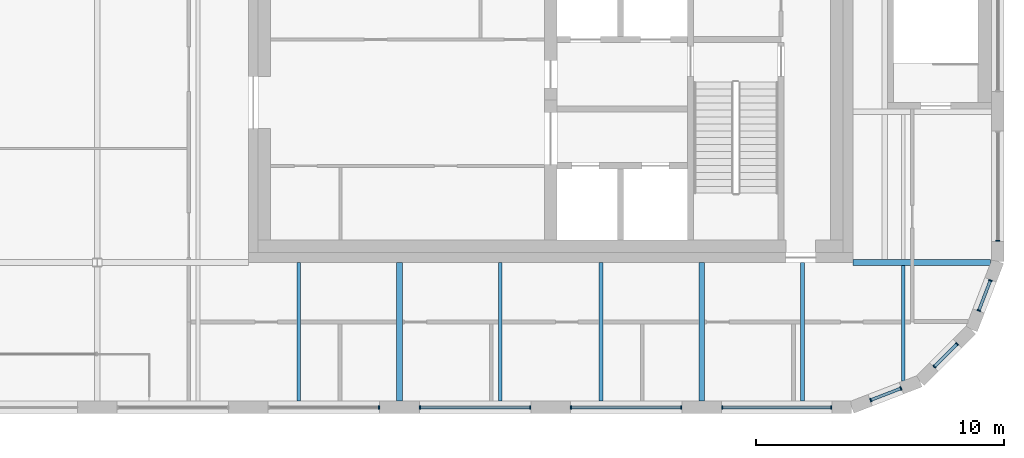
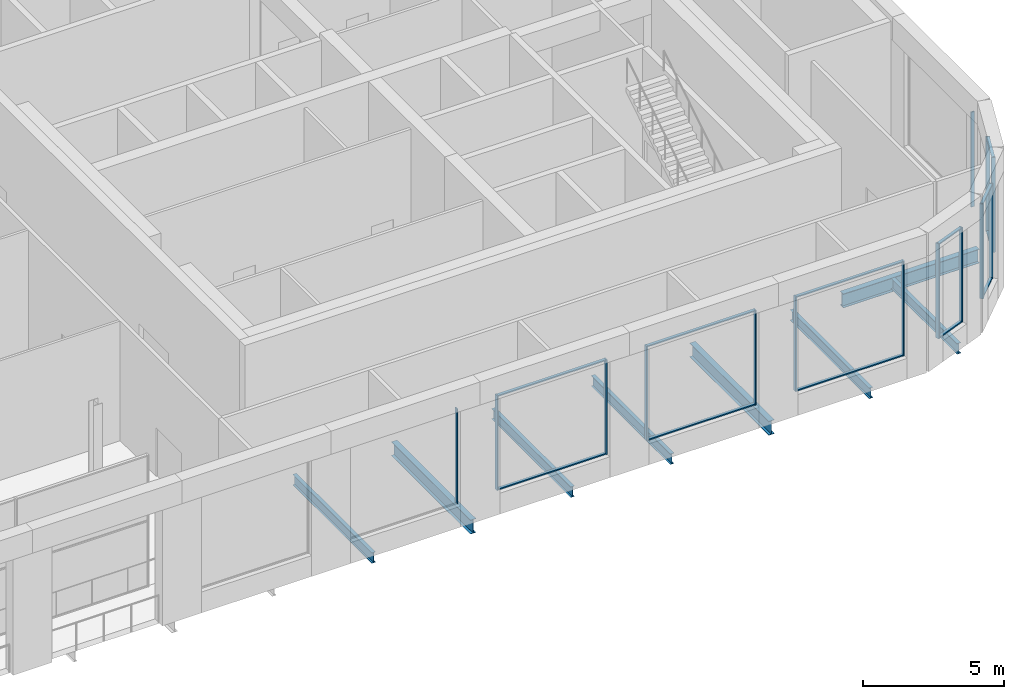
# One storey, part 6 of 19: 26 members, 8 beams, 8 elements without a shape of their own.
"""IFC4 building model written with IfcOpenShell, lengths in metres."""

from ifc_helpers import new_model, si_unit, direction, frame, origin, origin_2d, place, context, subcontext, project, spatial, rectangle, i_section, extrude, material, material_profile, profile_set, type_object, element, aggregate, save


model = new_model("IFC4")

# Units and contexts
model_context = context("Model", 3, precision=1e-05, world=origin(), true_north=direction((0.0, 1.0)))
body_context = subcontext(model_context, "Body", "Model", "MODEL_VIEW")
ifc_project = project(units=[si_unit("LENGTHUNIT", "METRE"), si_unit("AREAUNIT", "SQUARE_METRE"), si_unit("VOLUMEUNIT", "CUBIC_METRE"), si_unit("PLANEANGLEUNIT", "RADIAN"), si_unit("MASSUNIT", "GRAM", prefix="KILO")], contexts=[model_context])

# Site, building, storey
site_placement = place(None, origin())
site = spatial("IfcSite", under=ifc_project, at=site_placement, CompositionType="ELEMENT")
building_placement = place(site_placement, origin())
building = spatial("IfcBuilding", under=site, at=building_placement, Name="Tessera Gate Towers", CompositionType="ELEMENT")
storey_placement = place(building_placement, frame((0.0, 0.0, 259.699951171875)))
storey = spatial("IfcBuildingStorey", under=building, at=storey_placement, Name="L65", CompositionType="ELEMENT", Elevation=259.699951171875)

# Beams
ifc_material_1 = material(Name="Steel 350W", Category="steel")
ifc_material_profile_1 = material_profile(ifc_material_1, i_section(OverallWidth=0.22802734375, OverallDepth=0.60302734375, WebThickness=0.010498046875, FlangeThickness=0.014892578125, at=origin_2d()), Name="W610x101")
ifc_profile_set_1 = profile_set([ifc_material_profile_1], Name="Steel 350W")
beam_type_1 = type_object("IfcBeamType", Name="FLOOR GIRDER W610x101", PredefinedType="BEAM", material=ifc_profile_set_1)
beam_1_placement = place(storey_placement, frame((54.90087890625, 24.39990234375, -0.551513671875), z_axis=(1.0, 0.0, 0.0), x_axis=(0.0, 1.0, 0.0)))
element("IfcBeam", 1, at=beam_1_placement, inside=storey, type_object=beam_type_1, Name="T1-GD-L65-6311", PredefinedType="BEAM", context=body_context, shape_type="SweptSolid", body=[
    extrude(i_section(OverallWidth=0.22802734375, OverallDepth=0.60302734375, WebThickness=0.010498046875, FlangeThickness=0.014892578125, at=origin_2d()), origin(), (0.0, 0.0, 1.0), 5.564208984375),
])
for number, where, z_axis, x_axis, name in (
    (2, (36.60009765625, 18.799072265625, -0.551513671875), (0.0, 1.0, 0.0), (-1.0, 0.0, 0.0), "T1-GD-L65-6328"),
    (3, (48.800048828125, 18.799072265625, -0.551513671875), (0.0, 1.0, 0.0), (-1.0, 0.0, 0.0), "T1-GD-L65-6329"),
):
    element("IfcBeam", number, at=place(storey_placement, frame(where, z_axis=z_axis, x_axis=x_axis)), inside=storey, type_object=beam_type_1, Name=name, PredefinedType="BEAM", context=body_context, shape_type="SweptSolid", body=[
        extrude(i_section(OverallWidth=0.22802734375, OverallDepth=0.60302734375, WebThickness=0.010498046875, FlangeThickness=0.014892578125, at=origin_2d()), origin(), (0.0, 0.0, 1.0), 5.600830078125),
    ])
ifc_material_2 = material(Name="Steel 350W", Category="steel")
ifc_material_profile_2 = material_profile(ifc_material_2, i_section(OverallWidth=0.153076171875, OverallDepth=0.455078125, WebThickness=0.008056640625, FlangeThickness=0.01318359375, at=origin_2d()), Name="W460x60")
ifc_profile_set_2 = profile_set([ifc_material_profile_2], Name="Steel 350W")
beam_type_2 = type_object("IfcBeamType", Name="FLOOR SECONDARY W460x60", PredefinedType="BEAM", material=ifc_profile_set_2)
for number, where, z_axis, x_axis, name in (
    (4, (32.533203125, 18.800048828125, -0.4775390625), (0.0, 1.0, 0.0), (-1.0, 0.0, 0.0), "T1-BM-L65-6355"),
    (5, (40.666748046875, 18.800048828125, -0.4775390625), (0.0, 1.0, 0.0), (-1.0, 0.0, 0.0), "T1-BM-L65-6358"),
    (6, (44.7333984375, 18.800048828125, -0.4775390625), (0.0, 1.0, 0.0), (-1.0, 0.0, 0.0), "T1-BM-L65-6360"),
    (7, (52.86669921875, 18.800048828125, -0.4775390625), (0.0, 1.0, 0.0), (-1.0, 0.0, 0.0), "T1-BM-L65-6363"),
):
    element("IfcBeam", number, at=place(storey_placement, frame(where, z_axis=z_axis, x_axis=x_axis)), inside=storey, type_object=beam_type_2, Name=name, PredefinedType="BEAM", context=body_context, shape_type="SweptSolid", body=[
        extrude(i_section(OverallWidth=0.153076171875, OverallDepth=0.455078125, WebThickness=0.008056640625, FlangeThickness=0.01318359375, at=origin_2d()), origin(), (0.0, 0.0, 1.0), 5.599853515625),
    ])
beam_2_placement = place(storey_placement, frame((56.933349609375, 19.620361328125, -0.4775390625), z_axis=(0.0, 1.0, 0.0), x_axis=(-1.0, 0.0, 0.0)))
element("IfcBeam", 8, at=beam_2_placement, inside=storey, type_object=beam_type_2, Name="T1-BM-L65-6365", PredefinedType="BEAM", context=body_context, shape_type="SweptSolid", body=[
    extrude(i_section(OverallWidth=0.153076171875, OverallDepth=0.455078125, WebThickness=0.008056640625, FlangeThickness=0.01318359375, at=origin_2d()), origin(), (0.0, 0.0, 1.0), 4.66552734375),
])

# Curtain wall, member
ifc_material_3 = material(Name="Aluminium frame", Category="aluminium")
curtain_wall_type = type_object("IfcCurtainWallType", Name="CW-S4 observation glass", PredefinedType="NOTDEFINED", material=ifc_material_3)
curtain_wall_1_placement = place(storey_placement, origin())
curtain_wall_1 = element("IfcCurtainWall", 9, at=curtain_wall_1_placement, inside=storey, type_object=curtain_wall_type, Name="Curtain wall observation glass 0090", PredefinedType="NOTDEFINED")
ifc_material_4 = material(Name="Aluminium frame", Category="aluminium")
ifc_material_profile_3 = material_profile(ifc_material_4, rectangle(XDim=0.050048828125, YDim=0.14990234375, at=origin_2d()), Name="AL 50x150")
ifc_profile_set_3 = profile_set([ifc_material_profile_3], Name="Aluminium frame")
member_type_1 = type_object("IfcMemberType", Name="MU-S4 mullion 50x150", PredefinedType="MULLION", material=ifc_profile_set_3)
member_1_placement = place(storey_placement, frame((35.77490234375, 18.550048828125, 0.900146484375), z_axis=(0.0, 0.0, 1.0), x_axis=(1.0, 0.0, 0.0)))
member_1 = element("IfcMember", 10, at=member_1_placement, type_object=member_type_1, Name="T1-CW4-0090 mullion 2", PredefinedType="MULLION", context=body_context, shape_type="SweptSolid", body=[
    extrude(rectangle(XDim=0.050048828125, YDim=0.14990234375, at=origin_2d()), origin(), (0.0, 0.0, 1.0), 4.099853515625),
])
aggregate(curtain_wall_1, [member_1])

# Curtain wall, members
curtain_wall_2_placement = place(storey_placement, origin())
curtain_wall_2 = element("IfcCurtainWall", 11, at=curtain_wall_2_placement, inside=storey, type_object=curtain_wall_type, Name="Curtain wall observation glass 0091", PredefinedType="NOTDEFINED")
member_2_placement = place(storey_placement, frame((37.425048828125, 18.550048828125, 0.900146484375), z_axis=(0.0, 0.0, 1.0), x_axis=(1.0, 0.0, 0.0)))
member_2 = element("IfcMember", 12, at=member_2_placement, type_object=member_type_1, Name="T1-CW4-0091 mullion 1", PredefinedType="MULLION", context=body_context, shape_type="SweptSolid", body=[
    extrude(rectangle(XDim=0.050048828125, YDim=0.14990234375, at=origin_2d()), origin(), (0.0, 0.0, 1.0), 4.099853515625),
])
member_3_placement = place(storey_placement, frame((41.875, 18.550048828125, 0.900146484375), z_axis=(0.0, 0.0, 1.0), x_axis=(1.0, 0.0, 0.0)))
member_3 = element("IfcMember", 13, at=member_3_placement, type_object=member_type_1, Name="T1-CW4-0091 mullion 2", PredefinedType="MULLION", context=body_context, shape_type="SweptSolid", body=[
    extrude(rectangle(XDim=0.050048828125, YDim=0.14990234375, at=origin_2d()), origin(), (0.0, 0.0, 1.0), 4.099853515625),
])

curtain_wall_3_placement = place(storey_placement, origin())
curtain_wall_3 = element("IfcCurtainWall", 14, at=curtain_wall_3_placement, inside=storey, type_object=curtain_wall_type, Name="Curtain wall observation glass 0092", PredefinedType="NOTDEFINED")
member_4_placement = place(storey_placement, frame((43.52490234375, 18.550048828125, 0.900146484375), z_axis=(0.0, 0.0, 1.0), x_axis=(1.0, 0.0, 0.0)))
member_4 = element("IfcMember", 15, at=member_4_placement, type_object=member_type_1, Name="T1-CW4-0092 mullion 1", PredefinedType="MULLION", context=body_context, shape_type="SweptSolid", body=[
    extrude(rectangle(XDim=0.050048828125, YDim=0.14990234375, at=origin_2d()), origin(), (0.0, 0.0, 1.0), 4.099853515625),
])
member_5_placement = place(storey_placement, frame((47.97509765625, 18.550048828125, 0.900146484375), z_axis=(0.0, 0.0, 1.0), x_axis=(1.0, 0.0, 0.0)))
member_5 = element("IfcMember", 16, at=member_5_placement, type_object=member_type_1, Name="T1-CW4-0092 mullion 2", PredefinedType="MULLION", context=body_context, shape_type="SweptSolid", body=[
    extrude(rectangle(XDim=0.050048828125, YDim=0.14990234375, at=origin_2d()), origin(), (0.0, 0.0, 1.0), 4.099853515625),
])

curtain_wall_4_placement = place(storey_placement, origin())
curtain_wall_4 = element("IfcCurtainWall", 17, at=curtain_wall_4_placement, inside=storey, type_object=curtain_wall_type, Name="Curtain wall observation glass 0093", PredefinedType="NOTDEFINED")
member_6_placement = place(storey_placement, frame((49.625, 18.550048828125, 0.900146484375), z_axis=(0.0, 0.0, 1.0), x_axis=(1.0, 0.0, 0.0)))
member_6 = element("IfcMember", 18, at=member_6_placement, type_object=member_type_1, Name="T1-CW4-0093 mullion 1", PredefinedType="MULLION", context=body_context, shape_type="SweptSolid", body=[
    extrude(rectangle(XDim=0.050048828125, YDim=0.14990234375, at=origin_2d()), origin(), (0.0, 0.0, 1.0), 4.099853515625),
])
member_7_placement = place(storey_placement, frame((54.028564453125, 18.550048828125, 0.900146484375), z_axis=(0.0, 0.0, 1.0), x_axis=(1.0, 0.0, 0.0)))
member_7 = element("IfcMember", 19, at=member_7_placement, type_object=member_type_1, Name="T1-CW4-0093 mullion 2", PredefinedType="MULLION", context=body_context, shape_type="SweptSolid", body=[
    extrude(rectangle(XDim=0.050048828125, YDim=0.14990234375, at=origin_2d()), origin(), (0.0, 0.0, 1.0), 4.099853515625),
])

curtain_wall_5_placement = place(storey_placement, origin())
curtain_wall_5 = element("IfcCurtainWall", 20, at=curtain_wall_5_placement, inside=storey, type_object=curtain_wall_type, Name="Curtain wall observation glass 0094", PredefinedType="NOTDEFINED")
member_8_placement = place(storey_placement, frame((55.623291015625, 18.846923828125, 0.900146484375), z_axis=(0.0, 0.0, 1.0), x_axis=(0.932989314041, 0.359904070394, 0.0)))
member_8 = element("IfcMember", 21, at=member_8_placement, type_object=member_type_1, Name="T1-CW4-0094 mullion 1", PredefinedType="MULLION", context=body_context, shape_type="SweptSolid", body=[
    extrude(rectangle(XDim=0.050048828125, YDim=0.14990234375, at=origin_2d()), origin(), (0.0, 0.0, 1.0), 4.099853515625),
])
member_9_placement = place(storey_placement, frame((56.83642578125, 19.31494140625, 0.900146484375), z_axis=(0.0, 0.0, 1.0), x_axis=(0.932989314041, 0.359904070394, 0.0)))
member_9 = element("IfcMember", 22, at=member_9_placement, type_object=member_type_1, Name="T1-CW4-0094 mullion 2", PredefinedType="MULLION", context=body_context, shape_type="SweptSolid", body=[
    extrude(rectangle(XDim=0.050048828125, YDim=0.14990234375, at=origin_2d()), origin(), (0.0, 0.0, 1.0), 4.099853515625),
])

curtain_wall_6_placement = place(storey_placement, origin())
curtain_wall_6 = element("IfcCurtainWall", 23, at=curtain_wall_6_placement, inside=storey, type_object=curtain_wall_type, Name="Curtain wall observation glass 0095", PredefinedType="NOTDEFINED")
member_10_placement = place(storey_placement, frame((58.189697265625, 20.1953125, 0.900146484375), z_axis=(0.0, 0.0, 1.0), x_axis=(0.707106781187, 0.707106781187, 0.0)))
member_10 = element("IfcMember", 24, at=member_10_placement, type_object=member_type_1, Name="T1-CW4-0095 mullion 1", PredefinedType="MULLION", context=body_context, shape_type="SweptSolid", body=[
    extrude(rectangle(XDim=0.050048828125, YDim=0.14990234375, at=origin_2d()), origin(), (0.0, 0.0, 1.0), 4.099853515625),
])
member_11_placement = place(storey_placement, frame((59.104736328125, 21.1103515625, 0.900146484375), z_axis=(0.0, 0.0, 1.0), x_axis=(0.707106781187, 0.707106781187, 0.0)))
member_11 = element("IfcMember", 25, at=member_11_placement, type_object=member_type_1, Name="T1-CW4-0095 mullion 2", PredefinedType="MULLION", context=body_context, shape_type="SweptSolid", body=[
    extrude(rectangle(XDim=0.050048828125, YDim=0.14990234375, at=origin_2d()), origin(), (0.0, 0.0, 1.0), 4.099853515625),
])

curtain_wall_7_placement = place(storey_placement, origin())
curtain_wall_7 = element("IfcCurtainWall", 26, at=curtain_wall_7_placement, inside=storey, type_object=curtain_wall_type, Name="Curtain wall observation glass 0096", PredefinedType="NOTDEFINED")
member_12_placement = place(storey_placement, frame((59.985107421875, 22.46337890625, 0.900146484375), z_axis=(0.0, 0.0, 1.0), x_axis=(0.359904070394, 0.932989314041, 0.0)))
member_12 = element("IfcMember", 27, at=member_12_placement, type_object=member_type_1, Name="T1-CW4-0096 mullion 1", PredefinedType="MULLION", context=body_context, shape_type="SweptSolid", body=[
    extrude(rectangle(XDim=0.050048828125, YDim=0.14990234375, at=origin_2d()), origin(), (0.0, 0.0, 1.0), 4.099853515625),
])
member_13_placement = place(storey_placement, frame((60.453125, 23.6767578125, 0.900146484375), z_axis=(0.0, 0.0, 1.0), x_axis=(0.359904070394, 0.932989314041, 0.0)))
member_13 = element("IfcMember", 28, at=member_13_placement, type_object=member_type_1, Name="T1-CW4-0096 mullion 2", PredefinedType="MULLION", context=body_context, shape_type="SweptSolid", body=[
    extrude(rectangle(XDim=0.050048828125, YDim=0.14990234375, at=origin_2d()), origin(), (0.0, 0.0, 1.0), 4.099853515625),
])

# Curtain wall, member
curtain_wall_8_placement = place(storey_placement, origin())
curtain_wall_8 = element("IfcCurtainWall", 29, at=curtain_wall_8_placement, inside=storey, type_object=curtain_wall_type, Name="Curtain wall observation glass 0097", PredefinedType="NOTDEFINED")
member_14_placement = place(storey_placement, frame((60.75, 25.271484375, 0.900146484375), z_axis=(0.0, 0.0, 1.0), x_axis=(0.0, 1.0, 0.0)))
member_14 = element("IfcMember", 30, at=member_14_placement, type_object=member_type_1, Name="T1-CW4-0097 mullion 1", PredefinedType="MULLION", context=body_context, shape_type="SweptSolid", body=[
    extrude(rectangle(XDim=0.050048828125, YDim=0.14990234375, at=origin_2d()), origin(), (0.0, 0.0, 1.0), 4.099853515625),
])
aggregate(curtain_wall_8, [member_14])

# Member
ifc_material_5 = material(Name="Aluminium frame", Category="aluminium")
ifc_material_profile_4 = material_profile(ifc_material_5, rectangle(XDim=0.1201171875, YDim=0.050048828125, at=origin_2d()), Name="AL 50x120")
ifc_profile_set_4 = profile_set([ifc_material_profile_4], Name="Aluminium frame")
member_type_2 = type_object("IfcMemberType", Name="TR-S4 transom 50x120", PredefinedType="USERDEFINED", material=ifc_profile_set_4)
member_15_placement = place(storey_placement, frame((37.449951171875, 18.550048828125, 0.925048828125), z_axis=(1.0, 0.0, 0.0), x_axis=(0.0, 1.0, 0.0)))
member_15 = element("IfcMember", 31, at=member_15_placement, type_object=member_type_2, Name="T1-CW4-0091 transom 1.1", ObjectType="TRANSOM", PredefinedType="USERDEFINED", context=body_context, shape_type="SweptSolid", body=[
    extrude(rectangle(XDim=0.1201171875, YDim=0.050048828125, at=origin_2d()), origin(), (0.0, 0.0, 1.0), 4.400146484375),
])

member_16_placement = place(storey_placement, frame((37.449951171875, 18.550048828125, 4.97509765625), z_axis=(1.0, 0.0, 0.0), x_axis=(0.0, 1.0, 0.0)))
member_16 = element("IfcMember", 32, at=member_16_placement, type_object=member_type_2, Name="T1-CW4-0091 transom 1.2", ObjectType="TRANSOM", PredefinedType="USERDEFINED", context=body_context, shape_type="SweptSolid", body=[
    extrude(rectangle(XDim=0.1201171875, YDim=0.050048828125, at=origin_2d()), origin(), (0.0, 0.0, 1.0), 4.400146484375),
])

aggregate(curtain_wall_2, [member_2, member_3, member_15, member_16])

member_17_placement = place(storey_placement, frame((43.550048828125, 18.550048828125, 0.925048828125), z_axis=(1.0, 0.0, 0.0), x_axis=(0.0, 1.0, 0.0)))
member_17 = element("IfcMember", 33, at=member_17_placement, type_object=member_type_2, Name="T1-CW4-0092 transom 1.1", ObjectType="TRANSOM", PredefinedType="USERDEFINED", context=body_context, shape_type="SweptSolid", body=[
    extrude(rectangle(XDim=0.1201171875, YDim=0.050048828125, at=origin_2d()), origin(), (0.0, 0.0, 1.0), 4.39990234375),
])

member_18_placement = place(storey_placement, frame((43.550048828125, 18.550048828125, 4.97509765625), z_axis=(1.0, 0.0, 0.0), x_axis=(0.0, 1.0, 0.0)))
member_18 = element("IfcMember", 34, at=member_18_placement, type_object=member_type_2, Name="T1-CW4-0092 transom 1.2", ObjectType="TRANSOM", PredefinedType="USERDEFINED", context=body_context, shape_type="SweptSolid", body=[
    extrude(rectangle(XDim=0.1201171875, YDim=0.050048828125, at=origin_2d()), origin(), (0.0, 0.0, 1.0), 4.39990234375),
])

aggregate(curtain_wall_3, [member_4, member_5, member_17, member_18])

member_19_placement = place(storey_placement, frame((49.64990234375, 18.550048828125, 0.925048828125), z_axis=(1.0, 0.0, 0.0), x_axis=(0.0, 1.0, 0.0)))
member_19 = element("IfcMember", 35, at=member_19_placement, type_object=member_type_2, Name="T1-CW4-0093 transom 1.1", ObjectType="TRANSOM", PredefinedType="USERDEFINED", context=body_context, shape_type="SweptSolid", body=[
    extrude(rectangle(XDim=0.1201171875, YDim=0.050048828125, at=origin_2d()), origin(), (0.0, 0.0, 1.0), 4.353515625),
])

member_20_placement = place(storey_placement, frame((49.64990234375, 18.550048828125, 4.97509765625), z_axis=(1.0, 0.0, 0.0), x_axis=(0.0, 1.0, 0.0)))
member_20 = element("IfcMember", 36, at=member_20_placement, type_object=member_type_2, Name="T1-CW4-0093 transom 1.2", ObjectType="TRANSOM", PredefinedType="USERDEFINED", context=body_context, shape_type="SweptSolid", body=[
    extrude(rectangle(XDim=0.1201171875, YDim=0.050048828125, at=origin_2d()), origin(), (0.0, 0.0, 1.0), 4.353515625),
])

aggregate(curtain_wall_4, [member_6, member_7, member_19, member_20])

member_21_placement = place(storey_placement, frame((55.646484375, 18.85595703125, 0.925048828125), z_axis=(0.933023195209, 0.359816226987, 0.0), x_axis=(-0.359816226987, 0.933023195209, 0.0)))
member_21 = element("IfcMember", 37, at=member_21_placement, type_object=member_type_2, Name="T1-CW4-0094 transom 1.1", ObjectType="TRANSOM", PredefinedType="USERDEFINED", context=body_context, shape_type="SweptSolid", body=[
    extrude(rectangle(XDim=0.1201171875, YDim=0.050048828125, at=origin_2d()), origin(), (0.0, 0.0, 1.0), 1.25048828125),
])

member_22_placement = place(storey_placement, frame((55.646484375, 18.85595703125, 4.97509765625), z_axis=(0.933023195209, 0.359816226987, 0.0), x_axis=(-0.359816226987, 0.933023195209, 0.0)))
member_22 = element("IfcMember", 38, at=member_22_placement, type_object=member_type_2, Name="T1-CW4-0094 transom 1.2", ObjectType="TRANSOM", PredefinedType="USERDEFINED", context=body_context, shape_type="SweptSolid", body=[
    extrude(rectangle(XDim=0.1201171875, YDim=0.050048828125, at=origin_2d()), origin(), (0.0, 0.0, 1.0), 1.25048828125),
])

aggregate(curtain_wall_5, [member_8, member_9, member_21, member_22])

member_23_placement = place(storey_placement, frame((58.207275390625, 20.212890625, 0.925048828125), z_axis=(0.707106781187, 0.707106781187, 0.0), x_axis=(-0.707106781187, 0.707106781187, 0.0)))
member_23 = element("IfcMember", 39, at=member_23_placement, type_object=member_type_2, Name="T1-CW4-0095 transom 1.1", ObjectType="TRANSOM", PredefinedType="USERDEFINED", context=body_context, shape_type="SweptSolid", body=[
    extrude(rectangle(XDim=0.1201171875, YDim=0.050048828125, at=origin_2d()), origin(), (0.0, 0.0, 1.0), 1.244384765625),
])

member_24_placement = place(storey_placement, frame((58.207275390625, 20.212890625, 4.97509765625), z_axis=(0.707106781187, 0.707106781187, 0.0), x_axis=(-0.707106781187, 0.707106781187, 0.0)))
member_24 = element("IfcMember", 40, at=member_24_placement, type_object=member_type_2, Name="T1-CW4-0095 transom 1.2", ObjectType="TRANSOM", PredefinedType="USERDEFINED", context=body_context, shape_type="SweptSolid", body=[
    extrude(rectangle(XDim=0.1201171875, YDim=0.050048828125, at=origin_2d()), origin(), (0.0, 0.0, 1.0), 1.244384765625),
])

aggregate(curtain_wall_6, [member_10, member_11, member_23, member_24])

member_25_placement = place(storey_placement, frame((59.993896484375, 22.48681640625, 0.925048828125), z_axis=(0.35998616656, 0.932957640992, 0.0), x_axis=(-0.932957640992, 0.35998616656, 0.0)))
member_25 = element("IfcMember", 41, at=member_25_placement, type_object=member_type_2, Name="T1-CW4-0096 transom 1.1", ObjectType="TRANSOM", PredefinedType="USERDEFINED", context=body_context, shape_type="SweptSolid", body=[
    extrude(rectangle(XDim=0.1201171875, YDim=0.050048828125, at=origin_2d()), origin(), (0.0, 0.0, 1.0), 1.25048828125),
])

member_26_placement = place(storey_placement, frame((59.993896484375, 22.48681640625, 4.97509765625), z_axis=(0.35998616656, 0.932957640992, 0.0), x_axis=(-0.932957640992, 0.35998616656, 0.0)))
member_26 = element("IfcMember", 42, at=member_26_placement, type_object=member_type_2, Name="T1-CW4-0096 transom 1.2", ObjectType="TRANSOM", PredefinedType="USERDEFINED", context=body_context, shape_type="SweptSolid", body=[
    extrude(rectangle(XDim=0.1201171875, YDim=0.050048828125, at=origin_2d()), origin(), (0.0, 0.0, 1.0), 1.25048828125),
])

aggregate(curtain_wall_7, [member_12, member_13, member_25, member_26])

save(model, "model.ifc")
